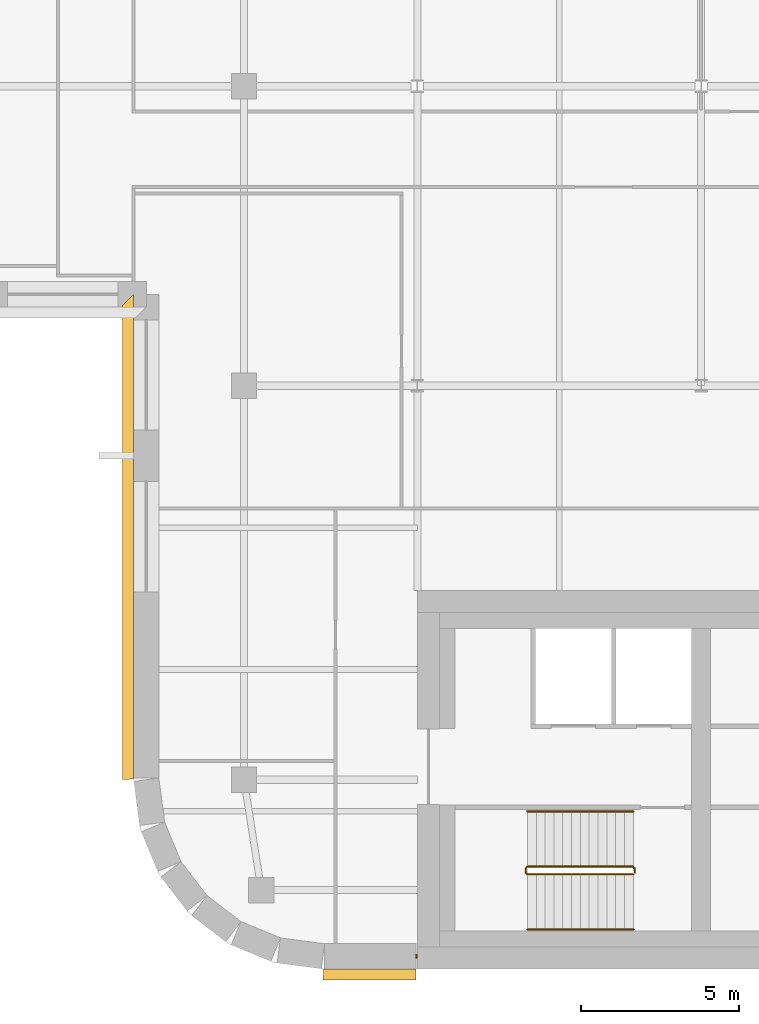
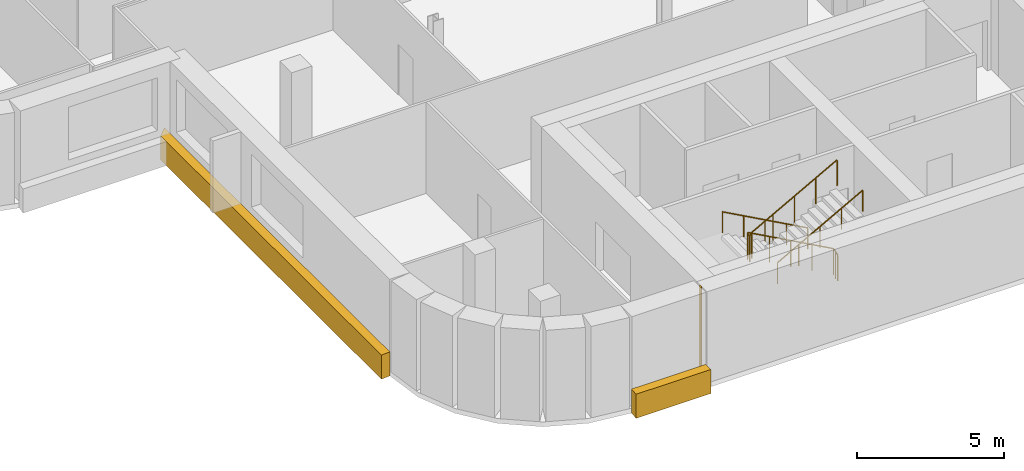
# One storey, part 13 of 16: 3 coverings, 3 railings.
"""IFC4 building model written with IfcOpenShell, lengths in metres."""

import ifcopenshell
import ifcopenshell.guid

model = None  # the IFC model being written
_history = None  # IfcOwnerHistory: only IFC2X3 demands one
_inside = {}  # id of a spatial element -> (the spatial element, [elements in it])
_under = {}  # id of a project, library or spatial element -> (it, [spatial elements below it])
_declared = {}  # id of a project -> (the project, [libraries it declares])
_typed = {}  # id of a type object -> (the type object, [elements of that type])
_made_of = {}  # id of a material, layer set ... -> (it, [elements and type objects made of it])


def new_model(schema):
    """Start an empty IFC model of exactly this schema.

    Asked for "IFC4X3", IfcOpenShell would pick the latest addendum, in which some entities
    have other attributes; the version numbers below select the first issue.
    IFC2X3 requires an IfcOwnerHistory on every rooted entity: one is made here for all.
    """
    global model, _history
    if schema == "IFC4X3":
        model = ifcopenshell.file(schema_version=(4, 3, 0, 0))
    else:
        model = ifcopenshell.file(schema=schema)
    _inside.clear()
    _under.clear()
    _declared.clear()
    _typed.clear()
    _made_of.clear()
    _history = None
    if model.schema == "IFC2X3":
        org = make("IfcOrganization", Name="unknown")
        user = make(
            "IfcPersonAndOrganization",
            ThePerson=make("IfcPerson", FamilyName="unknown"),
            TheOrganization=org,
        )
        app = make(
            "IfcApplication",
            ApplicationDeveloper=org,
            Version="unknown",
            ApplicationFullName="unknown",
            ApplicationIdentifier="unknown",
        )
        _history = make(
            "IfcOwnerHistory",
            OwningUser=user,
            OwningApplication=app,
            ChangeAction="ADDED",
            CreationDate=0,
        )
    return model


def make(cls, **values):
    """One entity of the class cls with the attributes given. An attribute that is None is left unset."""
    return model.create_entity(
        cls, **{name: value for name, value in values.items() if value is not None}
    )


def rooted(cls, **values):
    """An entity with a GlobalId (a new one), such as an element, a storey or a relation."""
    return make(cls, GlobalId=ifcopenshell.guid.new(), OwnerHistory=_history, **values)


def si_unit(unit_type, name, prefix=None):
    """IfcSIUnit, for example si_unit("LENGTHUNIT", "METRE", prefix="MILLI")."""
    return make("IfcSIUnit", UnitType=unit_type, Prefix=prefix, Name=name)


def assignment(units):
    """IfcUnitAssignment: the units of a project."""
    return None if units is None else make("IfcUnitAssignment", Units=units)


def point(xyz):
    """IfcCartesianPoint."""
    return None if xyz is None else make("IfcCartesianPoint", Coordinates=xyz)


def direction(xyz):
    """IfcDirection."""
    return None if xyz is None else make("IfcDirection", DirectionRatios=xyz)


def frame(location, z_axis=None, x_axis=None):
    """IfcAxis2Placement3D, a coordinate frame: its origin and axes. An axis left out is left unset."""
    return make(
        "IfcAxis2Placement3D",
        Location=point(location),
        Axis=direction(z_axis),
        RefDirection=direction(x_axis),
    )


def frame_2d(location, x_axis=None):
    """IfcAxis2Placement2D, a coordinate frame in the plane: its origin and x axis."""
    return make(
        "IfcAxis2Placement2D", Location=point(location), RefDirection=direction(x_axis)
    )


def origin():
    """The frame at (0, 0, 0) with its axes left unset."""
    return frame((0.0, 0.0, 0.0))


def origin_2d():
    """The frame at (0, 0) in the plane with its x axis left unset."""
    return frame_2d((0.0, 0.0))


def place(relative_to, where):
    """IfcLocalPlacement: puts the frame where relative to a parent placement (None: the world)."""
    return make(
        "IfcLocalPlacement", PlacementRelTo=relative_to, RelativePlacement=where
    )


def context(
    kind, dimensions, precision=None, world=None, true_north=None, identifier=None
):
    """IfcGeometricRepresentationContext, for example the 3D "Model" context."""
    return make(
        "IfcGeometricRepresentationContext",
        ContextIdentifier=identifier,
        ContextType=kind,
        CoordinateSpaceDimension=dimensions,
        Precision=precision,
        WorldCoordinateSystem=world,
        TrueNorth=true_north,
    )


def subcontext(parent, identifier, kind, view, scale=None):
    """IfcGeometricRepresentationSubContext, for example "Body" below "Model"."""
    return make(
        "IfcGeometricRepresentationSubContext",
        ContextIdentifier=identifier,
        ContextType=kind,
        ParentContext=parent,
        TargetScale=scale,
        TargetView=view,
    )


def project(units=None, contexts=None):
    """IfcProject with its units and contexts."""
    return rooted(
        "IfcProject",
        Name="project",
        RepresentationContexts=contexts,
        UnitsInContext=assignment(units),
    )


def spatial(cls, under=None, at=None, **own):
    """A site, building, storey or space (cls), placed at a placement, below another one or the project."""
    s = rooted(cls, ObjectPlacement=at, **own)
    if under is not None:
        _under.setdefault(under.id(), (under, []))[1].append(s)
    return s


def polyline(points):
    """IfcPolyline through the points."""
    return make("IfcPolyline", Points=[point(p) for p in points])


def profile(cls, at=None, kind="AREA", **sizes):
    """A parametric profile (cls). Its sizes go by their IFC names, for example OverallWidth=200.0."""
    return make(cls, ProfileType=kind, Position=at, **sizes)


def rectangle(**sizes):
    """IfcRectangleProfileDef."""
    return profile("IfcRectangleProfileDef", **sizes)


def circle(**sizes):
    """IfcCircleProfileDef."""
    return profile("IfcCircleProfileDef", **sizes)


def outline(outer, holes=None, kind="AREA"):
    """IfcArbitraryClosedProfileDef: a profile drawn as a closed curve; with holes, ...WithVoids."""
    if holes is None:
        return make("IfcArbitraryClosedProfileDef", ProfileType=kind, OuterCurve=outer)
    return make(
        "IfcArbitraryProfileDefWithVoids",
        ProfileType=kind,
        OuterCurve=outer,
        InnerCurves=holes,
    )


def extrude(swept, where, along, depth):
    """IfcExtrudedAreaSolid: the profile swept, set in the frame where, extruded along a direction by depth."""
    return make(
        "IfcExtrudedAreaSolid",
        SweptArea=swept,
        Position=where,
        ExtrudedDirection=direction(along),
        Depth=depth,
    )


def shape(context_of_items, identifier, shape_type, items):
    """IfcShapeRepresentation: the items that make up one representation, for example the "Body"."""
    return make(
        "IfcShapeRepresentation",
        ContextOfItems=context_of_items,
        RepresentationIdentifier=identifier,
        RepresentationType=shape_type,
        Items=items,
    )


def material(Name=None, Category=None):
    """IfcMaterial."""
    return make("IfcMaterial", Name=Name, Category=Category)


def layer(
    of_material, thickness, ventilated=None, Name=None, Category=None, Priority=None
):
    """IfcMaterialLayer: one layer of a wall or slab, of a material (None: an air gap)."""
    return make(
        "IfcMaterialLayer",
        Material=of_material,
        LayerThickness=thickness,
        IsVentilated=ventilated,
        Name=Name,
        Category=Category,
        Priority=Priority,
    )


def layer_set(layers, Name=None):
    """IfcMaterialLayerSet."""
    return make("IfcMaterialLayerSet", MaterialLayers=layers, LayerSetName=Name)


def made_of(thing, what):
    """Note that an element or type object is made of a material, layer set ...; save() writes the relation."""
    if what is not None:
        _made_of.setdefault(what.id(), (what, []))[1].append(thing)
    return thing


def type_object(cls, material=None, **own):
    """A type object (cls), such as IfcWallType, which elements share."""
    return made_of(rooted(cls, **own), material)


def element(
    cls,
    number,
    at=None,
    inside=None,
    cuts=None,
    type_object=None,
    material=None,
    context=None,
    identifier="Body",
    shape_type=None,
    held_by="IfcProductDefinitionShape",
    body=None,
    shapes=None,
    **own,
):
    """One element of the class cls, such as IfcWall. Its Tag is "e" and its number.

    at: its placement. inside: the storey or other place that contains it. cuts: it is an
    opening in that element (IfcRelVoidsElement). A single representation is given by context,
    identifier, shape_type and body (its items); several are given by shapes. held_by: the class
    of the entity that holds the representations. save() writes the other relations.
    """
    e = rooted(cls, Tag="e%d" % number, ObjectPlacement=at, **own)
    if body is not None:
        shapes = [shape(context, identifier, shape_type, body)]
    if shapes is not None:
        e.Representation = make(held_by, Representations=shapes)
    if inside is not None:
        _inside.setdefault(inside.id(), (inside, []))[1].append(e)
    if cuts is not None:
        rooted(
            "IfcRelVoidsElement", RelatingBuildingElement=cuts, RelatedOpeningElement=e
        )
    if type_object is not None:
        _typed.setdefault(type_object.id(), (type_object, []))[1].append(e)
    return made_of(e, material)


def aggregate(whole, parts):
    """IfcRelAggregates: a whole, such as a stair, and the parts it consists of."""
    return rooted("IfcRelAggregates", RelatingObject=whole, RelatedObjects=parts)


def save(model, path):
    """Write the relations noted so far, then the file.

    IfcRelAggregates (storeys below a building ...), IfcRelContainedInSpatialStructure (elements
    in a storey), IfcRelDefinesByType, IfcRelAssociatesMaterial and IfcRelDeclares: one each for
    every whole, place, type object, material and project.
    """
    for whole, parts in _under.values():
        aggregate(whole, parts)
    for where, things in _inside.values():
        rooted(
            "IfcRelContainedInSpatialStructure",
            RelatedElements=things,
            RelatingStructure=where,
        )
    for kind, things in _typed.values():
        rooted("IfcRelDefinesByType", RelatedObjects=things, RelatingType=kind)
    for what, things in _made_of.values():
        rooted("IfcRelAssociatesMaterial", RelatedObjects=things, RelatingMaterial=what)
    for by, libraries in _declared.values():
        rooted("IfcRelDeclares", RelatingContext=by, RelatedDefinitions=libraries)
    model.write(path)


model = new_model("IFC4")

# Units and contexts
model_context = context("Model", 3, precision=1e-05, world=origin(), true_north=direction((0.0, 1.0)))
body_context = subcontext(model_context, "Body", "Model", "MODEL_VIEW")
ifc_project = project(units=[si_unit("LENGTHUNIT", "METRE"), si_unit("AREAUNIT", "SQUARE_METRE"), si_unit("VOLUMEUNIT", "CUBIC_METRE"), si_unit("PLANEANGLEUNIT", "RADIAN"), si_unit("MASSUNIT", "GRAM", prefix="KILO")], contexts=[model_context])

# Site, building, storey
site_placement = place(None, origin())
site = spatial("IfcSite", under=ifc_project, at=site_placement, CompositionType="ELEMENT")
building_placement = place(site_placement, origin())
building = spatial("IfcBuilding", under=site, at=building_placement, Name="Zellij Exchange Tower", CompositionType="ELEMENT")
storey_placement = place(building_placement, frame((0.0, 0.0, 248.5)))
storey = spatial("IfcBuildingStorey", under=building, at=storey_placement, Name="L58", CompositionType="ELEMENT", Elevation=248.5)

# Railings
ifc_material_1 = material(Name="Stainless steel", Category="steel")
railing_type_1 = type_object("IfcRailingType", Name="CORE-RG stair guard", PredefinedType="GUARDRAIL", material=ifc_material_1)
railing_1_placement = place(storey_placement, frame((-20.10009765625, -10.800048828125, 0.0)))
element("IfcRailing", 1, at=railing_1_placement, inside=storey, type_object=railing_type_1, Name="ST1 stair guard L58", PredefinedType="GUARDRAIL", context=body_context, shape_type="SweptSolid", body=[
    extrude(circle(Radius=0.02392578125, at=origin_2d()), frame((0.0, 0.0, 1.076171875), z_axis=(0.0, -1.0, 0.0), x_axis=(1.0, 0.0, 0.0)), (0.0, 0.0, 1.0), 0.14990234375),
    extrude(circle(Radius=0.02392578125, at=origin_2d()), frame((0.0, -0.14990234375, 1.076171875), z_axis=(-0.193691321961, 0.777613689637, 0.598164376644), x_axis=(-0.970351222016, -0.241699205484, 0.0)), (0.0, 0.0, 1.0), 0.257080078125),
    extrude(circle(Radius=0.02392578125, at=origin_2d()), frame((-0.0498046875, 0.050048828125, 1.22998046875), z_axis=(-0.876421534553, 0.0, 0.481544695509), x_axis=(0.0, -1.0, 0.0)), (0.0, 0.0, 1.0), 3.833984375),
    extrude(circle(Radius=0.02392578125, at=origin_2d()), frame((-3.409912109375, 0.050048828125, 3.076171875), z_axis=(-0.707106781187, -0.707106781187, 0.0), x_axis=(0.707106781187, -0.707106781187, 0.0)), (0.0, 0.0, 1.0), 0.07080078125),
    extrude(circle(Radius=0.02392578125, at=origin_2d()), frame((-3.4599609375, 0.0, 3.076171875), z_axis=(0.0, -1.0, 0.0), x_axis=(1.0, 0.0, 0.0)), (0.0, 0.0, 1.0), 0.14990234375),
    extrude(circle(Radius=0.02392578125, at=origin_2d()), frame((-3.4599609375, -0.14990234375, 3.076171875), z_axis=(0.295599637079, -0.295599637079, 0.908428152975), x_axis=(0.707106781187, 0.707106781187, 0.0)), (0.0, 0.0, 1.0), 0.16943359375),
    extrude(circle(Radius=0.02392578125, at=origin_2d()), frame((-3.409912109375, -0.199951171875, 3.22998046875), z_axis=(0.876421534553, 0.0, 0.481544695509), x_axis=(0.0, 1.0, 0.0)), (0.0, 0.0, 1.0), 3.833984375),
    extrude(circle(Radius=0.02099609375, at=origin_2d()), origin(), (0.0, 0.0, 1.0), 1.052001953125),
    extrude(circle(Radius=0.02099609375, at=origin_2d()), frame((0.0, -0.14990234375, 0.0)), (0.0, 0.0, 1.0), 1.052001953125),
    extrude(circle(Radius=0.02099609375, at=origin_2d()), frame((-0.0498046875, 0.050048828125, 0.15380859375)), (0.0, 0.0, 1.0), 1.052001953125),
    extrude(circle(Radius=0.02099609375, at=origin_2d()), frame((-0.889892578125, 0.050048828125, 0.615234375)), (0.0, 0.0, 1.0), 1.052001953125),
    extrude(circle(Radius=0.02099609375, at=origin_2d()), frame((-1.72998046875, 0.050048828125, 1.076904296875)), (0.0, 0.0, 1.0), 1.052001953125),
    extrude(circle(Radius=0.02099609375, at=origin_2d()), frame((-2.56982421875, 0.050048828125, 1.53857421875)), (0.0, 0.0, 1.0), 1.052001953125),
    extrude(circle(Radius=0.02099609375, at=origin_2d()), frame((-3.409912109375, 0.050048828125, 2.0)), (0.0, 0.0, 1.0), 1.052001953125),
    extrude(circle(Radius=0.02099609375, at=origin_2d()), frame((-3.4599609375, 0.0, 2.0)), (0.0, 0.0, 1.0), 1.052001953125),
    extrude(circle(Radius=0.02099609375, at=origin_2d()), frame((-3.4599609375, -0.14990234375, 2.0)), (0.0, 0.0, 1.0), 1.052001953125),
    extrude(circle(Radius=0.02099609375, at=origin_2d()), frame((-3.409912109375, -0.199951171875, 2.15380859375)), (0.0, 0.0, 1.0), 1.052001953125),
    extrude(circle(Radius=0.02099609375, at=origin_2d()), frame((-2.56982421875, -0.199951171875, 2.615234375)), (0.0, 0.0, 1.0), 1.052001953125),
    extrude(circle(Radius=0.02099609375, at=origin_2d()), frame((-1.72998046875, -0.199951171875, 3.076904296875)), (0.0, 0.0, 1.0), 1.052001953125),
    extrude(circle(Radius=0.02099609375, at=origin_2d()), frame((-0.889892578125, -0.199951171875, 3.53857421875)), (0.0, 0.0, 1.0), 1.052001953125),
    extrude(circle(Radius=0.02099609375, at=origin_2d()), frame((-0.0498046875, -0.199951171875, 4.0)), (0.0, 0.0, 1.0), 1.052001953125),
])
railing_type_2 = type_object("IfcRailingType", Name="CORE-RH stair handrail", PredefinedType="HANDRAIL", material=ifc_material_1)
railing_2_placement = place(storey_placement, frame((-20.14990234375, -9.0, 0.15380859375)))
element("IfcRailing", 2, at=railing_2_placement, inside=storey, type_object=railing_type_2, Name="ST1 stair handrail L58", PredefinedType="HANDRAIL", context=body_context, shape_type="SweptSolid", body=[
    extrude(circle(Radius=0.02392578125, at=origin_2d()), frame((0.0, 0.0, 0.8759765625), z_axis=(-0.876421534553, 0.0, 0.481544695509), x_axis=(0.0, -1.0, 0.0)), (0.0, 0.0, 1.0), 3.833984375),
    extrude(circle(Radius=0.02099609375, at=origin_2d()), origin(), (0.0, 0.0, 1.0), 0.851806640625),
    extrude(circle(Radius=0.02099609375, at=origin_2d()), frame((-0.840087890625, 0.0, 0.46142578125)), (0.0, 0.0, 1.0), 0.851806640625),
    extrude(circle(Radius=0.02099609375, at=origin_2d()), frame((-1.68017578125, 0.0, 0.923095703125)), (0.0, 0.0, 1.0), 0.851806640625),
    extrude(circle(Radius=0.02099609375, at=origin_2d()), frame((-2.52001953125, 0.0, 1.384765625)), (0.0, 0.0, 1.0), 0.851806640625),
    extrude(circle(Radius=0.02099609375, at=origin_2d()), frame((-3.360107421875, 0.0, 1.84619140625)), (0.0, 0.0, 1.0), 0.851806640625),
])
railing_3_placement = place(storey_placement, frame((-23.510009765625, -12.75, 2.15380859375)))
element("IfcRailing", 3, at=railing_3_placement, inside=storey, type_object=railing_type_2, Name="ST1 stair handrail L58", PredefinedType="HANDRAIL", context=body_context, shape_type="SweptSolid", body=[
    extrude(circle(Radius=0.02392578125, at=origin_2d()), frame((0.0, 0.0, 0.8759765625), z_axis=(0.876421534553, 0.0, 0.481544695509), x_axis=(0.0, 1.0, 0.0)), (0.0, 0.0, 1.0), 3.833984375),
    extrude(circle(Radius=0.02099609375, at=origin_2d()), origin(), (0.0, 0.0, 1.0), 0.851806640625),
    extrude(circle(Radius=0.02099609375, at=origin_2d()), frame((0.840087890625, 0.0, 0.46142578125)), (0.0, 0.0, 1.0), 0.851806640625),
    extrude(circle(Radius=0.02099609375, at=origin_2d()), frame((1.68017578125, 0.0, 0.923095703125)), (0.0, 0.0, 1.0), 0.851806640625),
    extrude(circle(Radius=0.02099609375, at=origin_2d()), frame((2.52001953125, 0.0, 1.384765625)), (0.0, 0.0, 1.0), 0.851806640625),
    extrude(circle(Radius=0.02099609375, at=origin_2d()), frame((3.360107421875, 0.0, 1.84619140625)), (0.0, 0.0, 1.0), 0.851806640625),
])

# Coverings
ifc_material_2 = material(Name="Limestone cladding", Category="masonry")
ifc_layer_1 = layer(ifc_material_2, 0.35009765625)
ifc_layer_set_1 = layer_set([ifc_layer_1], Name="Limestone cladding")
covering_type_1 = type_object("IfcCoveringType", Name="ENV-CV10 Stone spandrel band 350", PredefinedType="CLADDING", material=ifc_layer_set_1)
covering_1_placement = place(storey_placement, frame((0.0, 0.0, -0.199951171875)))
element("IfcCovering", 4, at=covering_1_placement, inside=storey, type_object=covering_type_1, Name="Stone spandrel band", PredefinedType="CLADDING", context=body_context, shape_type="SweptSolid", body=[
    extrude(outline(polyline([(-29.973876953125, -14.0), (-27.050048828125, -14.0), (-27.050048828125, -14.35009765625), (-29.99658203125, -14.35009765625), (-29.973876953125, -14.0)])), origin(), (0.0, 0.0, 1.0), 1.0),
])
covering_2_placement = place(storey_placement, frame((0.0, 0.0, -0.199951171875)))
element("IfcCovering", 5, at=covering_2_placement, inside=storey, type_object=covering_type_1, Name="Stone spandrel band", PredefinedType="CLADDING", context=body_context, shape_type="SweptSolid", body=[
    extrude(outline(polyline([(-36.0, 7.39990234375), (-36.0, -7.973876953125), (-36.35009765625, -7.99658203125), (-36.35009765625, 7.050048828125), (-36.0, 7.39990234375)])), origin(), (0.0, 0.0, 1.0), 1.0),
])
ifc_layer_2 = layer(ifc_material_2, 0.1201171875)
ifc_layer_set_2 = layer_set([ifc_layer_2], Name="Limestone cladding")
covering_type_2 = type_object("IfcCoveringType", Name="ENV-CV18 Glazing closer 120", PredefinedType="CLADDING", material=ifc_layer_set_2)
covering_3_placement = place(storey_placement, frame((-27.02490234375, -13.60009765625, 0.0), z_axis=(0.0, 0.0, 1.0), x_axis=(1.0, 0.0, 0.0)))
element("IfcCovering", 6, at=covering_3_placement, inside=storey, type_object=covering_type_2, Name="Glazing closer", PredefinedType="CLADDING", context=body_context, shape_type="SweptSolid", body=[
    extrude(rectangle(XDim=0.050048828125, YDim=0.1201171875, at=origin_2d()), origin(), (0.0, 0.0, 1.0), 3.800048828125),
])

save(model, "model.ifc")
